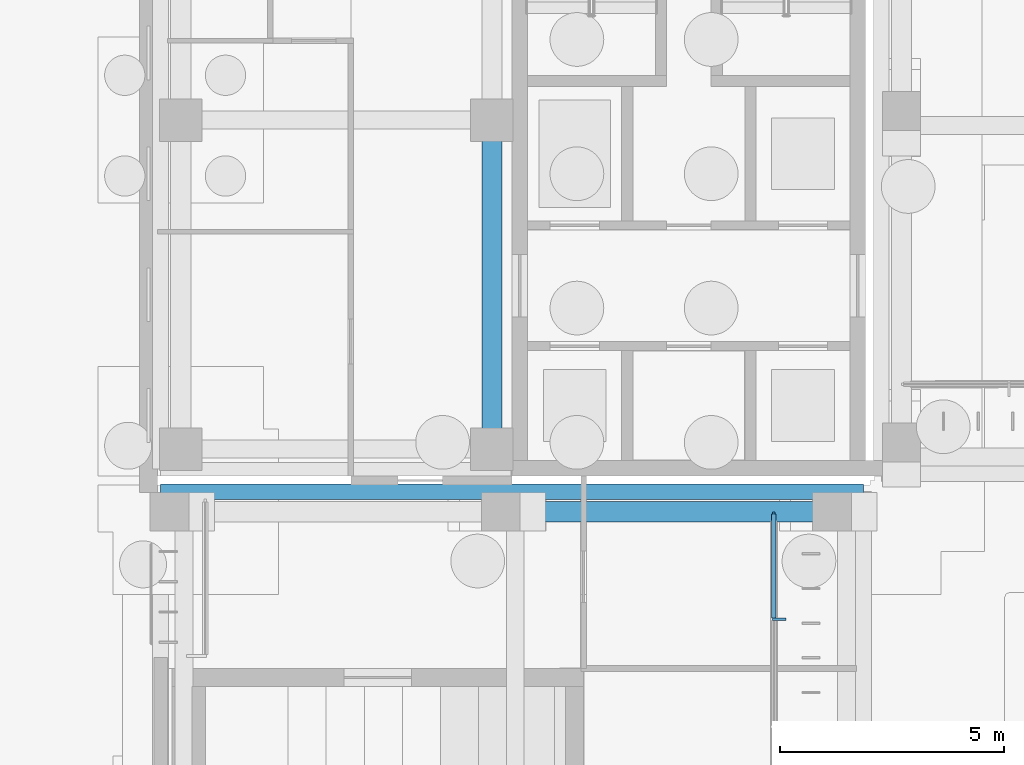
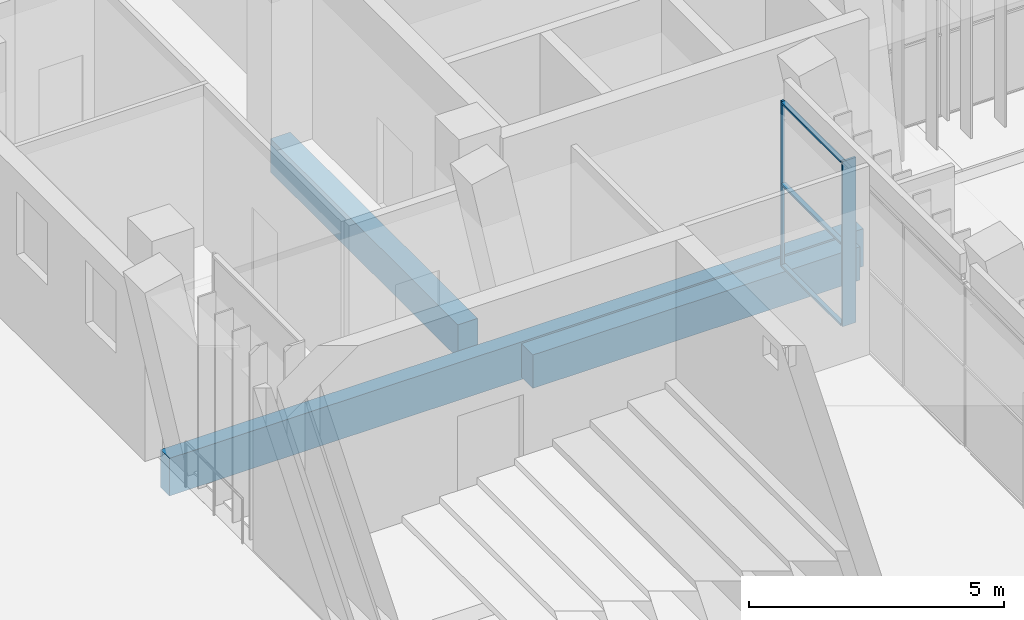
# One storey, part 58 of 144: 5 members, 3 beams, 1 element without a shape of its own.
"""IFC4 building model written with IfcOpenShell, lengths in metres."""

from ifc_helpers import new_model, si_unit, direction, frame, origin, origin_2d, place, context, subcontext, project, spatial, rectangle, extrude, material, material_profile, profile_set, type_object, element, aggregate, save


model = new_model("IFC4")

# Units and contexts
model_context = context("Model", 3, precision=1e-05, world=origin(), true_north=direction((0.0, 1.0)))
body_context = subcontext(model_context, "Body", "Model", "MODEL_VIEW")
ifc_project = project(units=[si_unit("LENGTHUNIT", "METRE"), si_unit("AREAUNIT", "SQUARE_METRE"), si_unit("VOLUMEUNIT", "CUBIC_METRE"), si_unit("PLANEANGLEUNIT", "RADIAN"), si_unit("MASSUNIT", "GRAM", prefix="KILO")], contexts=[model_context])

# Site, building, storey
site_placement = place(None, origin())
site = spatial("IfcSite", under=ifc_project, at=site_placement, CompositionType="ELEMENT")
building_placement = place(site_placement, origin())
building = spatial("IfcBuilding", under=site, at=building_placement, Name="Lantern Court Media Centre", CompositionType="ELEMENT")
storey_placement = place(building_placement, origin())
storey = spatial("IfcBuildingStorey", under=building, at=storey_placement, Name="L00", CompositionType="ELEMENT", Elevation=0.0)

# Curtain wall, members
ifc_material_1 = material(Name="Curtain wall bay 2400")
curtain_wall_type = type_object("IfcCurtainWallType", Name="Curtain wall bay 2400", PredefinedType="NOTDEFINED", material=ifc_material_1)
curtain_wall_placement = place(storey_placement, origin())
curtain_wall = element("IfcCurtainWall", 1, at=curtain_wall_placement, inside=storey, type_object=curtain_wall_type, Name="Curtain wall W inner L00", PredefinedType="NOTDEFINED")
ifc_material_2 = material(Name="Anodised aluminium", Category="aluminium")
ifc_material_profile_1 = material_profile(ifc_material_2, rectangle(XDim=0.300048828125, YDim=0.050048828125, at=origin_2d()), Name="AL 50x300")
ifc_profile_set_1 = profile_set([ifc_material_profile_1], Name="Anodised aluminium")
member_type_1 = type_object("IfcMemberType", Name="Curtain wall mullion 50x300", PredefinedType="MULLION", material=ifc_profile_set_1)
member_1_placement = place(storey_placement, frame((21.969970703125, 92.89990234375, 0.0), z_axis=(0.0, 0.0, 1.0), x_axis=(-1.0, 0.0, 0.0)))
member_1 = element("IfcMember", 2, at=member_1_placement, type_object=member_type_1, Name="CW2 mullion 4", PredefinedType="MULLION", context=body_context, shape_type="SweptSolid", body=[
    extrude(rectangle(XDim=0.300048828125, YDim=0.050048828125, at=origin_2d()), origin(), (0.0, 0.0, 1.0), 3.949951171875),
])
ifc_material_profile_2 = material_profile(ifc_material_2, rectangle(XDim=0.06005859375, YDim=0.050048828125, at=origin_2d()), Name="AL 50x60")
ifc_profile_set_2 = profile_set([ifc_material_profile_2], Name="Anodised aluminium")
member_type_2 = type_object("IfcMemberType", Name="Curtain wall mullion 50x60", PredefinedType="MULLION", material=ifc_profile_set_2)
member_2_placement = place(storey_placement, frame((21.85009765625, 95.27490234375, 0.0), z_axis=(0.0, 0.0, 1.0), x_axis=(-1.0, 0.0, 0.0)))
member_2 = element("IfcMember", 3, at=member_2_placement, type_object=member_type_2, Name="CW2 mullion 5", PredefinedType="MULLION", context=body_context, shape_type="SweptSolid", body=[
    extrude(rectangle(XDim=0.06005859375, YDim=0.050048828125, at=origin_2d()), origin(), (0.0, 0.0, 1.0), 3.949951171875),
])
ifc_material_profile_3 = material_profile(ifc_material_2, rectangle(XDim=0.10009765625, YDim=0.050048828125, at=origin_2d()), Name="AL 50x100")
ifc_profile_set_3 = profile_set([ifc_material_profile_3], Name="Anodised aluminium")
member_type_3 = type_object("IfcMemberType", Name="Curtain wall transom 100x50", PredefinedType="USERDEFINED", material=ifc_profile_set_3)
member_3_placement = place(storey_placement, frame((21.85009765625, 92.925048828125, 0.02490234375), z_axis=(0.0, 1.0, 0.0), x_axis=(-1.0, 0.0, 0.0)))
member_3 = element("IfcMember", 4, at=member_3_placement, type_object=member_type_3, Name="CW2 transom 4.1", ObjectType="TRANSOM", PredefinedType="USERDEFINED", context=body_context, shape_type="SweptSolid", body=[
    extrude(rectangle(XDim=0.10009765625, YDim=0.050048828125, at=origin_2d()), origin(), (0.0, 0.0, 1.0), 2.324951171875),
])
member_4_placement = place(storey_placement, frame((21.85009765625, 92.925048828125, 1.97509765625), z_axis=(0.0, 1.0, 0.0), x_axis=(-1.0, 0.0, 0.0)))
member_4 = element("IfcMember", 5, at=member_4_placement, type_object=member_type_3, Name="CW2 transom 4.2", ObjectType="TRANSOM", PredefinedType="USERDEFINED", context=body_context, shape_type="SweptSolid", body=[
    extrude(rectangle(XDim=0.10009765625, YDim=0.050048828125, at=origin_2d()), origin(), (0.0, 0.0, 1.0), 2.324951171875),
])
member_5_placement = place(storey_placement, frame((21.85009765625, 92.925048828125, 3.925048828125), z_axis=(0.0, 1.0, 0.0), x_axis=(-1.0, 0.0, 0.0)))
member_5 = element("IfcMember", 6, at=member_5_placement, type_object=member_type_3, Name="CW2 transom 4.3", ObjectType="TRANSOM", PredefinedType="USERDEFINED", context=body_context, shape_type="SweptSolid", body=[
    extrude(rectangle(XDim=0.10009765625, YDim=0.050048828125, at=origin_2d()), origin(), (0.0, 0.0, 1.0), 2.324951171875),
])
aggregate(curtain_wall, [member_1, member_2, member_3, member_4, member_5])

# Beams
ifc_material_3 = material(Name="Concrete C35", Category="concrete")
ifc_material_profile_4 = material_profile(ifc_material_3, rectangle(XDim=0.35009765625, YDim=0.89990234375, at=origin_2d()), Name="RC 350x900")
ifc_profile_set_4 = profile_set([ifc_material_profile_4], Name="Concrete C35")
beam_type_1 = type_object("IfcBeamType", Name="RC BEAM 350x900", PredefinedType="BEAM", material=ifc_profile_set_4)
beam_1_placement = place(storey_placement, frame((8.14990234375, 95.75, -0.449951171875), z_axis=(1.0, 0.0, 0.0), x_axis=(0.0, 1.0, 0.0)))
element("IfcBeam", 7, at=beam_1_placement, inside=storey, type_object=beam_type_1, Name="EB-W-L00-D", PredefinedType="BEAM", context=body_context, shape_type="SweptSolid", body=[
    extrude(rectangle(XDim=0.35009765625, YDim=0.89990234375, at=origin_2d()), origin(), (0.0, 0.0, 1.0), 15.7001953125),
])
ifc_material_profile_5 = material_profile(ifc_material_3, rectangle(XDim=0.449951171875, YDim=0.800048828125, at=origin_2d()), Name="RC 450x800")
ifc_profile_set_5 = profile_set([ifc_material_profile_5], Name="Concrete C35")
beam_type_2 = type_object("IfcBeamType", Name="RC BEAM 450x800", PredefinedType="BEAM", material=ifc_profile_set_5)
beam_2_placement = place(storey_placement, frame((15.550048828125, 96.699951171875, -0.39990234375), z_axis=(0.0, 1.0, 0.0), x_axis=(-1.0, 0.0, 0.0)))
element("IfcBeam", 8, at=beam_2_placement, inside=storey, type_object=beam_type_2, Name="BB-NW-L00-X0-15", PredefinedType="BEAM", context=body_context, shape_type="SweptSolid", body=[
    extrude(rectangle(XDim=0.449951171875, YDim=0.800048828125, at=origin_2d()), origin(), (0.0, 0.0, 1.0), 7.35009765625),
])
beam_3_placement = place(storey_placement, frame((16.083251953125, 95.300048828125, -0.39990234375), z_axis=(1.0, 0.0, 0.0), x_axis=(0.0, 1.0, 0.0)))
element("IfcBeam", 9, at=beam_3_placement, inside=storey, type_object=beam_type_2, Name="TB-W-L00-4-2", PredefinedType="BEAM", context=body_context, shape_type="SweptSolid", body=[
    extrude(rectangle(XDim=0.449951171875, YDim=0.800048828125, at=origin_2d()), origin(), (0.0, 0.0, 1.0), 7.400146484375),
])

save(model, "model.ifc")
